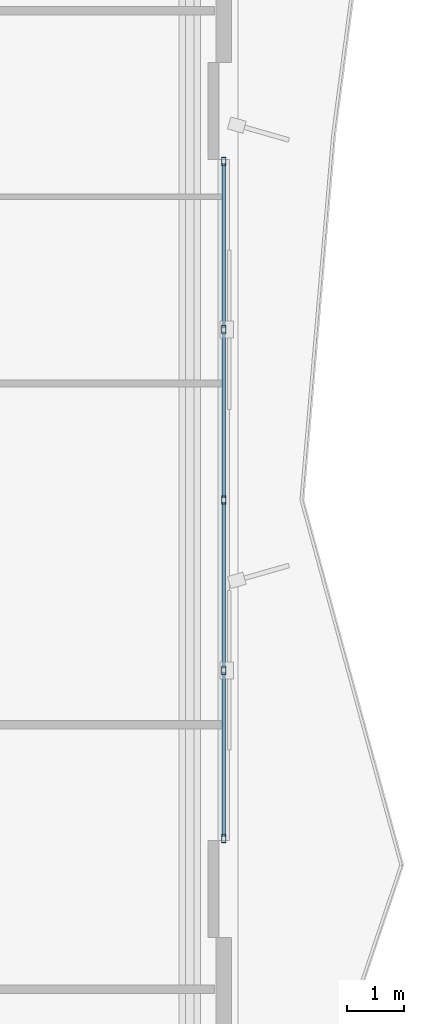
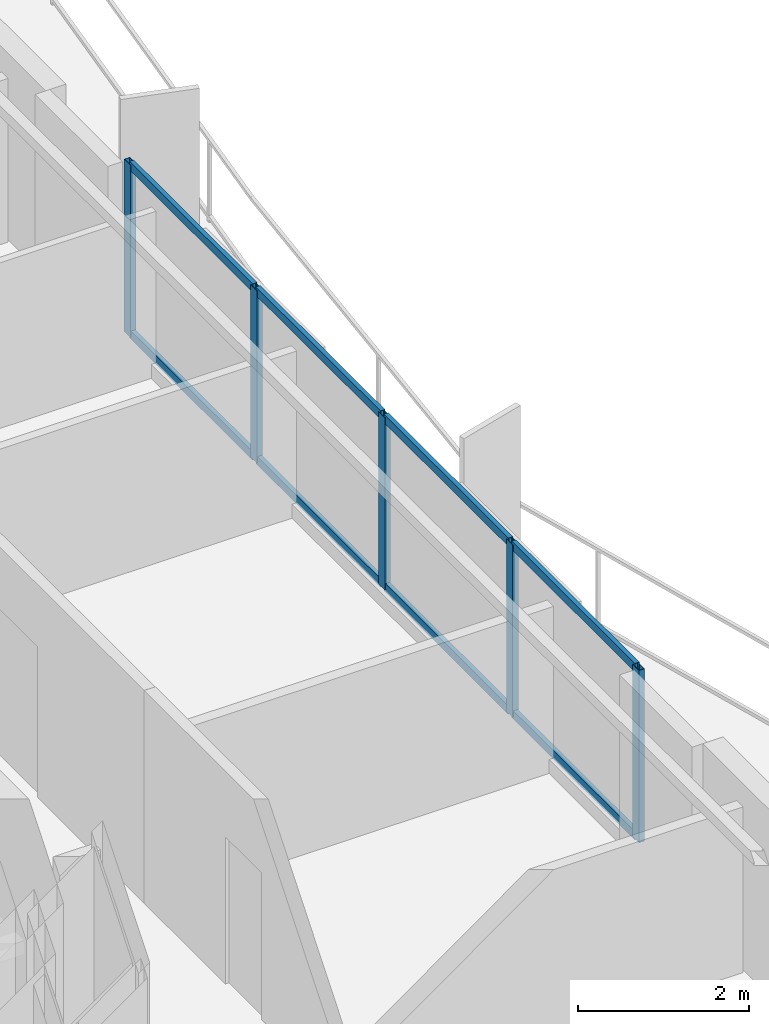
# One storey, part 6 of 19: 13 members, 1 element without a shape of its own.
"""IFC4 building model written with IfcOpenShell, lengths in metres."""

from ifc_helpers import new_model, si_unit, direction, frame, origin, origin_2d, place, context, subcontext, project, spatial, hollow_rectangle, extrude, material, layer, layer_set, material_profile, profile_set, type_object, element, aggregate, save


model = new_model("IFC4")

# Units and contexts
model_context = context("Model", 3, precision=1e-05, world=origin(), true_north=direction((0.0, 1.0)))
body_context = subcontext(model_context, "Body", "Model", "MODEL_VIEW")
ifc_project = project(units=[si_unit("LENGTHUNIT", "METRE"), si_unit("AREAUNIT", "SQUARE_METRE"), si_unit("VOLUMEUNIT", "CUBIC_METRE"), si_unit("PLANEANGLEUNIT", "RADIAN"), si_unit("MASSUNIT", "GRAM", prefix="KILO")], contexts=[model_context])

# Site, building, storey
site_placement = place(None, origin())
site = spatial("IfcSite", under=ifc_project, at=site_placement, CompositionType="ELEMENT")
building_placement = place(site_placement, origin())
building = spatial("IfcBuilding", under=site, at=building_placement, Name="Mersakhor Tower and Convention Hall", CompositionType="ELEMENT")
storey_placement = place(building_placement, frame((0.0, 0.0, 42.300048828125)))
storey = spatial("IfcBuildingStorey", under=building, at=storey_placement, Name="L11", CompositionType="ELEMENT", Elevation=42.300048828125)

# Curtain wall, members
ifc_material_1 = material(Name="Dark solar low-E aluminium curtain wall", Category="aluminium")
ifc_layer = layer(ifc_material_1, 0.159912109375)
ifc_layer_set = layer_set([ifc_layer], Name="Dark solar low-E aluminium curtain wall")
curtain_wall_type = type_object("IfcCurtainWallType", Name="CW-SYS-01", PredefinedType="USERDEFINED", material=ifc_layer_set)
curtain_wall_placement = place(storey_placement, origin())
curtain_wall = element("IfcCurtainWall", 1, at=curtain_wall_placement, inside=storey, type_object=curtain_wall_type, Name="L11 Dark-Glass Curtain Wall F2-B2", ObjectType="CURTAIN WALL", PredefinedType="USERDEFINED")
ifc_material_2 = material(Name="Anodised aluminium EN AW-6063 T6", Category="aluminium")
ifc_material_profile_1 = material_profile(ifc_material_2, hollow_rectangle(XDim=0.074951171875, YDim=0.14990234375, WallThickness=0.00634765625, at=origin_2d()), Name="RHS 150x75x6.3")
ifc_profile_set_1 = profile_set([ifc_material_profile_1], Name="Anodised aluminium EN AW-6063 T6")
member_type_1 = type_object("IfcMemberType", Name="CWM-150x75", PredefinedType="MULLION", material=ifc_profile_set_1)
member_1_placement = place(storey_placement, frame((43.85009765625, 32.69921875, 0.199951171875), z_axis=(0.0, 0.0, 1.0), x_axis=(1.0, 0.0, 0.0)))
member_1 = element("IfcMember", 2, at=member_1_placement, type_object=member_type_1, Name="CW-01 mullion 1", PredefinedType="MULLION", context=body_context, shape_type="SweptSolid", body=[
    extrude(hollow_rectangle(XDim=0.074951171875, YDim=0.14990234375, WallThickness=0.00634765625, at=origin_2d()), origin(), (0.0, 0.0, 1.0), 2.4599609375),
])
member_2_placement = place(storey_placement, frame((43.85009765625, 29.743408203125, 0.199951171875), z_axis=(0.0, 0.0, 1.0), x_axis=(1.0, 0.0, 0.0)))
member_2 = element("IfcMember", 3, at=member_2_placement, type_object=member_type_1, Name="CW-01 mullion 2", PredefinedType="MULLION", context=body_context, shape_type="SweptSolid", body=[
    extrude(hollow_rectangle(XDim=0.074951171875, YDim=0.14990234375, WallThickness=0.00634765625, at=origin_2d()), origin(), (0.0, 0.0, 1.0), 2.4599609375),
])
member_3_placement = place(storey_placement, frame((43.85009765625, 26.75, 0.199951171875), z_axis=(0.0, 0.0, 1.0), x_axis=(1.0, 0.0, 0.0)))
member_3 = element("IfcMember", 4, at=member_3_placement, type_object=member_type_1, Name="CW-01 mullion 3", PredefinedType="MULLION", context=body_context, shape_type="SweptSolid", body=[
    extrude(hollow_rectangle(XDim=0.074951171875, YDim=0.14990234375, WallThickness=0.00634765625, at=origin_2d()), origin(), (0.0, 0.0, 1.0), 2.4599609375),
])
member_4_placement = place(storey_placement, frame((43.85009765625, 23.756591796875, 0.199951171875), z_axis=(0.0, 0.0, 1.0), x_axis=(1.0, 0.0, 0.0)))
member_4 = element("IfcMember", 5, at=member_4_placement, type_object=member_type_1, Name="CW-01 mullion 4", PredefinedType="MULLION", context=body_context, shape_type="SweptSolid", body=[
    extrude(hollow_rectangle(XDim=0.074951171875, YDim=0.14990234375, WallThickness=0.00634765625, at=origin_2d()), origin(), (0.0, 0.0, 1.0), 2.4599609375),
])
member_5_placement = place(storey_placement, frame((43.85009765625, 20.80078125, 0.199951171875), z_axis=(0.0, 0.0, 1.0), x_axis=(1.0, 0.0, 0.0)))
member_5 = element("IfcMember", 6, at=member_5_placement, type_object=member_type_1, Name="CW-01 mullion 5", PredefinedType="MULLION", context=body_context, shape_type="SweptSolid", body=[
    extrude(hollow_rectangle(XDim=0.074951171875, YDim=0.14990234375, WallThickness=0.00634765625, at=origin_2d()), origin(), (0.0, 0.0, 1.0), 2.4599609375),
])
ifc_material_3 = material(Name="Anodised aluminium EN AW-6063 T6", Category="aluminium")
ifc_material_profile_2 = material_profile(ifc_material_3, hollow_rectangle(XDim=0.06005859375, YDim=0.1201171875, WallThickness=0.0048828125, at=origin_2d()), Name="RHS 120x60x5")
ifc_profile_set_2 = profile_set([ifc_material_profile_2], Name="Anodised aluminium EN AW-6063 T6")
member_type_2 = type_object("IfcMemberType", Name="CWT-120x60", PredefinedType="USERDEFINED", material=ifc_profile_set_2)
member_6_placement = place(storey_placement, frame((43.85009765625, 32.66162109375, 0.22998046875), z_axis=(0.0, -1.0, 0.0), x_axis=(1.0, 0.0, 0.0)))
member_6 = element("IfcMember", 7, at=member_6_placement, type_object=member_type_2, Name="CW-01 transom 1.1", ObjectType="TRANSOM", PredefinedType="USERDEFINED", context=body_context, shape_type="SweptSolid", body=[
    extrude(hollow_rectangle(XDim=0.06005859375, YDim=0.1201171875, WallThickness=0.0048828125, at=origin_2d()), origin(), (0.0, 0.0, 1.0), 2.880859375),
])
member_7_placement = place(storey_placement, frame((43.85009765625, 32.66162109375, 2.6298828125), z_axis=(0.0, -1.0, 0.0), x_axis=(1.0, 0.0, 0.0)))
member_7 = element("IfcMember", 8, at=member_7_placement, type_object=member_type_2, Name="CW-01 transom 1.2", ObjectType="TRANSOM", PredefinedType="USERDEFINED", context=body_context, shape_type="SweptSolid", body=[
    extrude(hollow_rectangle(XDim=0.06005859375, YDim=0.1201171875, WallThickness=0.0048828125, at=origin_2d()), origin(), (0.0, 0.0, 1.0), 2.880859375),
])
member_8_placement = place(storey_placement, frame((43.85009765625, 29.705810546875, 0.22998046875), z_axis=(0.0, -1.0, 0.0), x_axis=(1.0, 0.0, 0.0)))
member_8 = element("IfcMember", 9, at=member_8_placement, type_object=member_type_2, Name="CW-01 transom 2.1", ObjectType="TRANSOM", PredefinedType="USERDEFINED", context=body_context, shape_type="SweptSolid", body=[
    extrude(hollow_rectangle(XDim=0.06005859375, YDim=0.1201171875, WallThickness=0.0048828125, at=origin_2d()), origin(), (0.0, 0.0, 1.0), 2.918212890625),
])
member_9_placement = place(storey_placement, frame((43.85009765625, 29.705810546875, 2.6298828125), z_axis=(0.0, -1.0, 0.0), x_axis=(1.0, 0.0, 0.0)))
member_9 = element("IfcMember", 10, at=member_9_placement, type_object=member_type_2, Name="CW-01 transom 2.2", ObjectType="TRANSOM", PredefinedType="USERDEFINED", context=body_context, shape_type="SweptSolid", body=[
    extrude(hollow_rectangle(XDim=0.06005859375, YDim=0.1201171875, WallThickness=0.0048828125, at=origin_2d()), origin(), (0.0, 0.0, 1.0), 2.918212890625),
])
member_10_placement = place(storey_placement, frame((43.85009765625, 26.71240234375, 0.22998046875), z_axis=(0.0, -1.0, 0.0), x_axis=(1.0, 0.0, 0.0)))
member_10 = element("IfcMember", 11, at=member_10_placement, type_object=member_type_2, Name="CW-01 transom 3.1", ObjectType="TRANSOM", PredefinedType="USERDEFINED", context=body_context, shape_type="SweptSolid", body=[
    extrude(hollow_rectangle(XDim=0.06005859375, YDim=0.1201171875, WallThickness=0.0048828125, at=origin_2d()), origin(), (0.0, 0.0, 1.0), 2.918212890625),
])
member_11_placement = place(storey_placement, frame((43.85009765625, 26.71240234375, 2.6298828125), z_axis=(0.0, -1.0, 0.0), x_axis=(1.0, 0.0, 0.0)))
member_11 = element("IfcMember", 12, at=member_11_placement, type_object=member_type_2, Name="CW-01 transom 3.2", ObjectType="TRANSOM", PredefinedType="USERDEFINED", context=body_context, shape_type="SweptSolid", body=[
    extrude(hollow_rectangle(XDim=0.06005859375, YDim=0.1201171875, WallThickness=0.0048828125, at=origin_2d()), origin(), (0.0, 0.0, 1.0), 2.918212890625),
])
member_12_placement = place(storey_placement, frame((43.85009765625, 23.71923828125, 0.22998046875), z_axis=(0.0, -1.0, 0.0), x_axis=(1.0, 0.0, 0.0)))
member_12 = element("IfcMember", 13, at=member_12_placement, type_object=member_type_2, Name="CW-01 transom 4.1", ObjectType="TRANSOM", PredefinedType="USERDEFINED", context=body_context, shape_type="SweptSolid", body=[
    extrude(hollow_rectangle(XDim=0.06005859375, YDim=0.1201171875, WallThickness=0.0048828125, at=origin_2d()), origin(), (0.0, 0.0, 1.0), 2.880859375),
])
member_13_placement = place(storey_placement, frame((43.85009765625, 23.71923828125, 2.6298828125), z_axis=(0.0, -1.0, 0.0), x_axis=(1.0, 0.0, 0.0)))
member_13 = element("IfcMember", 14, at=member_13_placement, type_object=member_type_2, Name="CW-01 transom 4.2", ObjectType="TRANSOM", PredefinedType="USERDEFINED", context=body_context, shape_type="SweptSolid", body=[
    extrude(hollow_rectangle(XDim=0.06005859375, YDim=0.1201171875, WallThickness=0.0048828125, at=origin_2d()), origin(), (0.0, 0.0, 1.0), 2.880859375),
])
aggregate(curtain_wall, [member_1, member_2, member_3, member_4, member_5, member_6, member_7, member_8, member_9, member_10, member_11, member_12, member_13])

save(model, "model.ifc")
